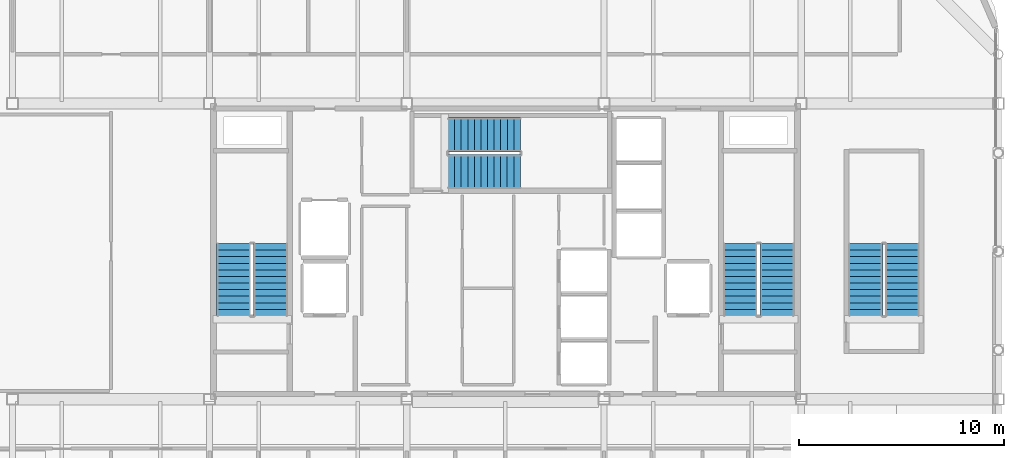
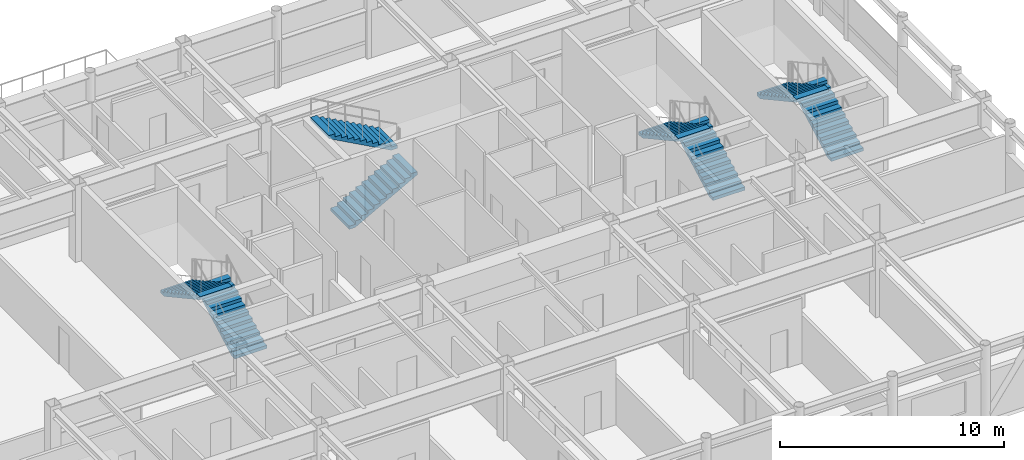
# One storey, part 20 of 23: 8 stair flights, 4 elements without a shape of their own.
"""IFC4 building model written with IfcOpenShell, lengths in metres."""

from ifc_helpers import new_model, si_unit, direction, frame, origin, place, context, subcontext, project, spatial, polyline, outline, extrude, material, type_object, element, aggregate, save


model = new_model("IFC4")

# Units and contexts
model_context = context("Model", 3, precision=1e-05, world=origin(), true_north=direction((0.0, 1.0)))
body_context = subcontext(model_context, "Body", "Model", "MODEL_VIEW")
ifc_project = project(units=[si_unit("LENGTHUNIT", "METRE"), si_unit("AREAUNIT", "SQUARE_METRE"), si_unit("VOLUMEUNIT", "CUBIC_METRE"), si_unit("PLANEANGLEUNIT", "RADIAN"), si_unit("MASSUNIT", "GRAM", prefix="KILO")], contexts=[model_context])

# Site, building, storey
site_placement = place(None, origin())
site = spatial("IfcSite", under=ifc_project, at=site_placement, CompositionType="ELEMENT")
building_placement = place(site_placement, origin())
building = spatial("IfcBuilding", under=site, at=building_placement, Name="Kallvorn Hotel Tower", CompositionType="ELEMENT")
storey_placement = place(building_placement, frame((0.0, 0.0, 282.199951171875)))
storey = spatial("IfcBuildingStorey", under=building, at=storey_placement, Name="L70", CompositionType="ELEMENT", Elevation=282.199951171875)

# Stair, stair flights
ifc_material_1 = material(Name="Precast concrete C40/50", Category="concrete")
stair_type = type_object("IfcStairType", Name="STR_CORE_DOGLEG", PredefinedType="HALF_TURN_STAIR", material=ifc_material_1)
stair_1_placement = place(storey_placement, origin())
stair_1 = element("IfcStair", 1, at=stair_1_placement, inside=storey, type_object=stair_type, Name="L70 Exit stair ST1", PredefinedType="HALF_TURN_STAIR")
ifc_material_2 = material(Name="Precast concrete C40/50", Category="concrete")
stair_flight_type = type_object("IfcStairFlightType", Name="FLT_CORE_1660", PredefinedType="STRAIGHT", material=ifc_material_2)
stair_flight_1_placement = place(storey_placement, frame((-11.429931640625, -3.139892578125, 0.0), z_axis=(0.0, 0.0, 1.0), x_axis=(0.0, 1.0, 0.0)))
stair_flight_1 = element("IfcStairFlight", 2, at=stair_flight_1_placement, type_object=stair_flight_type, Name="ST1 flight 1", NumberOfRisers=12, NumberOfTreads=11, PredefinedType="STRAIGHT", RiserHeight=0.175, TreadLength=0.32, context=body_context, shape_type="SweptSolid", body=[
    extrude(outline(polyline([(0.0, 0.0), (0.0, 0.175048828125), (0.320068359375, 0.175048828125), (0.320068359375, 0.35009765625), (0.639892578125, 0.35009765625), (0.639892578125, 0.52490234375), (0.9599609375, 0.52490234375), (0.9599609375, 0.699951171875), (1.280029296875, 0.699951171875), (1.280029296875, 0.875), (1.60009765625, 0.875), (1.60009765625, 1.050048828125), (1.919921875, 1.050048828125), (1.919921875, 1.22509765625), (2.239990234375, 1.22509765625), (2.239990234375, 1.39990234375), (2.56005859375, 1.39990234375), (2.56005859375, 1.574951171875), (2.8798828125, 1.574951171875), (2.8798828125, 1.75), (3.199951171875, 1.75), (3.199951171875, 1.925048828125), (3.52001953125, 1.925048828125), (3.52001953125, 2.10009765625), (3.52001953125, 1.754150390625), (0.3125, 0.0), (0.0, 0.0)])), frame((0.0, 0.830078125, 0.0), z_axis=(0.0, -1.0, 0.0), x_axis=(1.0, 0.0, 0.0)), (0.0, 0.0, 1.0), 1.659912109375),
])
stair_flight_2_placement = place(storey_placement, frame((-13.22998046875, 0.3798828125, 2.10009765625), z_axis=(0.0, 0.0, 1.0), x_axis=(0.0, -1.0, 0.0)))
stair_flight_2 = element("IfcStairFlight", 3, at=stair_flight_2_placement, type_object=stair_flight_type, Name="ST1 flight 2", NumberOfRisers=12, NumberOfTreads=11, PredefinedType="STRAIGHT", RiserHeight=0.175, TreadLength=0.32, context=body_context, shape_type="SweptSolid", body=[
    extrude(outline(polyline([(0.0, 0.0), (0.0, 0.175048828125), (0.320068359375, 0.175048828125), (0.320068359375, 0.35009765625), (0.639892578125, 0.35009765625), (0.639892578125, 0.52490234375), (0.9599609375, 0.52490234375), (0.9599609375, 0.699951171875), (1.280029296875, 0.699951171875), (1.280029296875, 0.875), (1.60009765625, 0.875), (1.60009765625, 1.050048828125), (1.919921875, 1.050048828125), (1.919921875, 1.22509765625), (2.239990234375, 1.22509765625), (2.239990234375, 1.39990234375), (2.56005859375, 1.39990234375), (2.56005859375, 1.574951171875), (2.8798828125, 1.574951171875), (2.8798828125, 1.75), (3.199951171875, 1.75), (3.199951171875, 1.925048828125), (3.52001953125, 1.925048828125), (3.52001953125, 2.10009765625), (3.52001953125, 1.754150390625), (0.3125, 0.0), (0.0, 0.0)])), frame((0.0, 0.830078125, 0.0), z_axis=(0.0, -1.0, 0.0), x_axis=(1.0, 0.0, 0.0)), (0.0, 0.0, 1.0), 1.659912109375),
])
aggregate(stair_1, [stair_flight_1, stair_flight_2])

stair_2_placement = place(storey_placement, origin())
stair_2 = element("IfcStair", 4, at=stair_2_placement, inside=storey, type_object=stair_type, Name="L70 Exit stair ST2", PredefinedType="HALF_TURN_STAIR")
stair_flight_3_placement = place(storey_placement, frame((13.22998046875, -3.139892578125, 0.0), z_axis=(0.0, 0.0, 1.0), x_axis=(0.0, 1.0, 0.0)))
stair_flight_3 = element("IfcStairFlight", 5, at=stair_flight_3_placement, type_object=stair_flight_type, Name="ST2 flight 1", NumberOfRisers=12, NumberOfTreads=11, PredefinedType="STRAIGHT", RiserHeight=0.175, TreadLength=0.32, context=body_context, shape_type="SweptSolid", body=[
    extrude(outline(polyline([(0.0, 0.0), (0.0, 0.175048828125), (0.320068359375, 0.175048828125), (0.320068359375, 0.35009765625), (0.639892578125, 0.35009765625), (0.639892578125, 0.52490234375), (0.9599609375, 0.52490234375), (0.9599609375, 0.699951171875), (1.280029296875, 0.699951171875), (1.280029296875, 0.875), (1.60009765625, 0.875), (1.60009765625, 1.050048828125), (1.919921875, 1.050048828125), (1.919921875, 1.22509765625), (2.239990234375, 1.22509765625), (2.239990234375, 1.39990234375), (2.56005859375, 1.39990234375), (2.56005859375, 1.574951171875), (2.8798828125, 1.574951171875), (2.8798828125, 1.75), (3.199951171875, 1.75), (3.199951171875, 1.925048828125), (3.52001953125, 1.925048828125), (3.52001953125, 2.10009765625), (3.52001953125, 1.754150390625), (0.3125, 0.0), (0.0, 0.0)])), frame((0.0, 0.830078125, 0.0), z_axis=(0.0, -1.0, 0.0), x_axis=(1.0, 0.0, 0.0)), (0.0, 0.0, 1.0), 1.659912109375),
])
stair_flight_4_placement = place(storey_placement, frame((11.429931640625, 0.3798828125, 2.10009765625), z_axis=(0.0, 0.0, 1.0), x_axis=(0.0, -1.0, 0.0)))
stair_flight_4 = element("IfcStairFlight", 6, at=stair_flight_4_placement, type_object=stair_flight_type, Name="ST2 flight 2", NumberOfRisers=12, NumberOfTreads=11, PredefinedType="STRAIGHT", RiserHeight=0.175, TreadLength=0.32, context=body_context, shape_type="SweptSolid", body=[
    extrude(outline(polyline([(0.0, 0.0), (0.0, 0.175048828125), (0.320068359375, 0.175048828125), (0.320068359375, 0.35009765625), (0.639892578125, 0.35009765625), (0.639892578125, 0.52490234375), (0.9599609375, 0.52490234375), (0.9599609375, 0.699951171875), (1.280029296875, 0.699951171875), (1.280029296875, 0.875), (1.60009765625, 0.875), (1.60009765625, 1.050048828125), (1.919921875, 1.050048828125), (1.919921875, 1.22509765625), (2.239990234375, 1.22509765625), (2.239990234375, 1.39990234375), (2.56005859375, 1.39990234375), (2.56005859375, 1.574951171875), (2.8798828125, 1.574951171875), (2.8798828125, 1.75), (3.199951171875, 1.75), (3.199951171875, 1.925048828125), (3.52001953125, 1.925048828125), (3.52001953125, 2.10009765625), (3.52001953125, 1.754150390625), (0.3125, 0.0), (0.0, 0.0)])), frame((0.0, 0.830078125, 0.0), z_axis=(0.0, -1.0, 0.0), x_axis=(1.0, 0.0, 0.0)), (0.0, 0.0, 1.0), 1.659912109375),
])
aggregate(stair_2, [stair_flight_3, stair_flight_4])

stair_3_placement = place(storey_placement, origin())
stair_3 = element("IfcStair", 7, at=stair_3_placement, inside=storey, type_object=stair_type, Name="L70 Exit stair ST3", PredefinedType="HALF_TURN_STAIR")
stair_flight_5_placement = place(storey_placement, frame((-2.7900390625, 3.8798828125, 0.0), z_axis=(0.0, 0.0, 1.0), x_axis=(1.0, 0.0, 0.0)))
stair_flight_5 = element("IfcStairFlight", 8, at=stair_flight_5_placement, type_object=stair_flight_type, Name="ST3 flight 1", NumberOfRisers=12, NumberOfTreads=11, PredefinedType="STRAIGHT", RiserHeight=0.175, TreadLength=0.32, context=body_context, shape_type="SweptSolid", body=[
    extrude(outline(polyline([(0.0, 0.0), (0.0, 0.175048828125), (0.320068359375, 0.175048828125), (0.320068359375, 0.35009765625), (0.639892578125, 0.35009765625), (0.639892578125, 0.52490234375), (0.9599609375, 0.52490234375), (0.9599609375, 0.699951171875), (1.280029296875, 0.699951171875), (1.280029296875, 0.875), (1.60009765625, 0.875), (1.60009765625, 1.050048828125), (1.919921875, 1.050048828125), (1.919921875, 1.22509765625), (2.239990234375, 1.22509765625), (2.239990234375, 1.39990234375), (2.56005859375, 1.39990234375), (2.56005859375, 1.574951171875), (2.8798828125, 1.574951171875), (2.8798828125, 1.75), (3.199951171875, 1.75), (3.199951171875, 1.925048828125), (3.52001953125, 1.925048828125), (3.52001953125, 2.10009765625), (3.52001953125, 1.754150390625), (0.3125, 0.0), (0.0, 0.0)])), frame((0.0, 0.830078125, 0.0), z_axis=(0.0, -1.0, 0.0), x_axis=(1.0, 0.0, 0.0)), (0.0, 0.0, 1.0), 1.659912109375),
])
stair_flight_6_placement = place(storey_placement, frame((0.72998046875, 5.679931640625, 2.10009765625), z_axis=(0.0, 0.0, 1.0), x_axis=(-1.0, 0.0, 0.0)))
stair_flight_6 = element("IfcStairFlight", 9, at=stair_flight_6_placement, type_object=stair_flight_type, Name="ST3 flight 2", NumberOfRisers=12, NumberOfTreads=11, PredefinedType="STRAIGHT", RiserHeight=0.175, TreadLength=0.32, context=body_context, shape_type="SweptSolid", body=[
    extrude(outline(polyline([(0.0, 0.0), (0.0, 0.175048828125), (0.320068359375, 0.175048828125), (0.320068359375, 0.35009765625), (0.639892578125, 0.35009765625), (0.639892578125, 0.52490234375), (0.9599609375, 0.52490234375), (0.9599609375, 0.699951171875), (1.280029296875, 0.699951171875), (1.280029296875, 0.875), (1.60009765625, 0.875), (1.60009765625, 1.050048828125), (1.919921875, 1.050048828125), (1.919921875, 1.22509765625), (2.239990234375, 1.22509765625), (2.239990234375, 1.39990234375), (2.56005859375, 1.39990234375), (2.56005859375, 1.574951171875), (2.8798828125, 1.574951171875), (2.8798828125, 1.75), (3.199951171875, 1.75), (3.199951171875, 1.925048828125), (3.52001953125, 1.925048828125), (3.52001953125, 2.10009765625), (3.52001953125, 1.754150390625), (0.3125, 0.0), (0.0, 0.0)])), frame((0.0, 0.830078125, 0.0), z_axis=(0.0, -1.0, 0.0), x_axis=(1.0, 0.0, 0.0)), (0.0, 0.0, 1.0), 1.659912109375),
])
aggregate(stair_3, [stair_flight_5, stair_flight_6])

stair_4_placement = place(storey_placement, origin())
stair_4 = element("IfcStair", 10, at=stair_4_placement, inside=storey, type_object=stair_type, Name="L70 Exit stair ST4", PredefinedType="HALF_TURN_STAIR")
stair_flight_7_placement = place(storey_placement, frame((19.330078125, -3.139892578125, 0.0), z_axis=(0.0, 0.0, 1.0), x_axis=(0.0, 1.0, 0.0)))
stair_flight_7 = element("IfcStairFlight", 11, at=stair_flight_7_placement, type_object=stair_flight_type, Name="ST4 flight 1", NumberOfRisers=12, NumberOfTreads=11, PredefinedType="STRAIGHT", RiserHeight=0.175, TreadLength=0.32, context=body_context, shape_type="SweptSolid", body=[
    extrude(outline(polyline([(0.0, 0.0), (0.0, 0.175048828125), (0.320068359375, 0.175048828125), (0.320068359375, 0.35009765625), (0.639892578125, 0.35009765625), (0.639892578125, 0.52490234375), (0.9599609375, 0.52490234375), (0.9599609375, 0.699951171875), (1.280029296875, 0.699951171875), (1.280029296875, 0.875), (1.60009765625, 0.875), (1.60009765625, 1.050048828125), (1.919921875, 1.050048828125), (1.919921875, 1.22509765625), (2.239990234375, 1.22509765625), (2.239990234375, 1.39990234375), (2.56005859375, 1.39990234375), (2.56005859375, 1.574951171875), (2.8798828125, 1.574951171875), (2.8798828125, 1.75), (3.199951171875, 1.75), (3.199951171875, 1.925048828125), (3.52001953125, 1.925048828125), (3.52001953125, 2.10009765625), (3.52001953125, 1.754150390625), (0.3125, 0.0), (0.0, 0.0)])), frame((0.0, 0.830078125, 0.0), z_axis=(0.0, -1.0, 0.0), x_axis=(1.0, 0.0, 0.0)), (0.0, 0.0, 1.0), 1.659912109375),
])
stair_flight_8_placement = place(storey_placement, frame((17.530029296875, 0.3798828125, 2.10009765625), z_axis=(0.0, 0.0, 1.0), x_axis=(0.0, -1.0, 0.0)))
stair_flight_8 = element("IfcStairFlight", 12, at=stair_flight_8_placement, type_object=stair_flight_type, Name="ST4 flight 2", NumberOfRisers=12, NumberOfTreads=11, PredefinedType="STRAIGHT", RiserHeight=0.175, TreadLength=0.32, context=body_context, shape_type="SweptSolid", body=[
    extrude(outline(polyline([(0.0, 0.0), (0.0, 0.175048828125), (0.320068359375, 0.175048828125), (0.320068359375, 0.35009765625), (0.639892578125, 0.35009765625), (0.639892578125, 0.52490234375), (0.9599609375, 0.52490234375), (0.9599609375, 0.699951171875), (1.280029296875, 0.699951171875), (1.280029296875, 0.875), (1.60009765625, 0.875), (1.60009765625, 1.050048828125), (1.919921875, 1.050048828125), (1.919921875, 1.22509765625), (2.239990234375, 1.22509765625), (2.239990234375, 1.39990234375), (2.56005859375, 1.39990234375), (2.56005859375, 1.574951171875), (2.8798828125, 1.574951171875), (2.8798828125, 1.75), (3.199951171875, 1.75), (3.199951171875, 1.925048828125), (3.52001953125, 1.925048828125), (3.52001953125, 2.10009765625), (3.52001953125, 1.754150390625), (0.3125, 0.0), (0.0, 0.0)])), frame((0.0, 0.830078125, 0.0), z_axis=(0.0, -1.0, 0.0), x_axis=(1.0, 0.0, 0.0)), (0.0, 0.0, 1.0), 1.659912109375),
])
aggregate(stair_4, [stair_flight_7, stair_flight_8])

save(model, "model.ifc")
